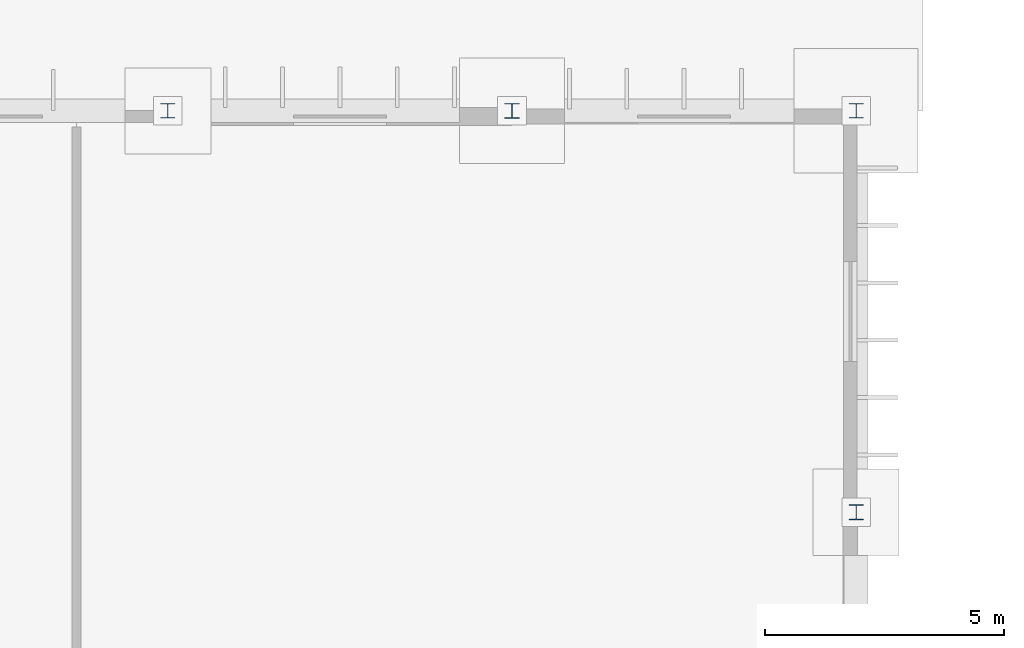
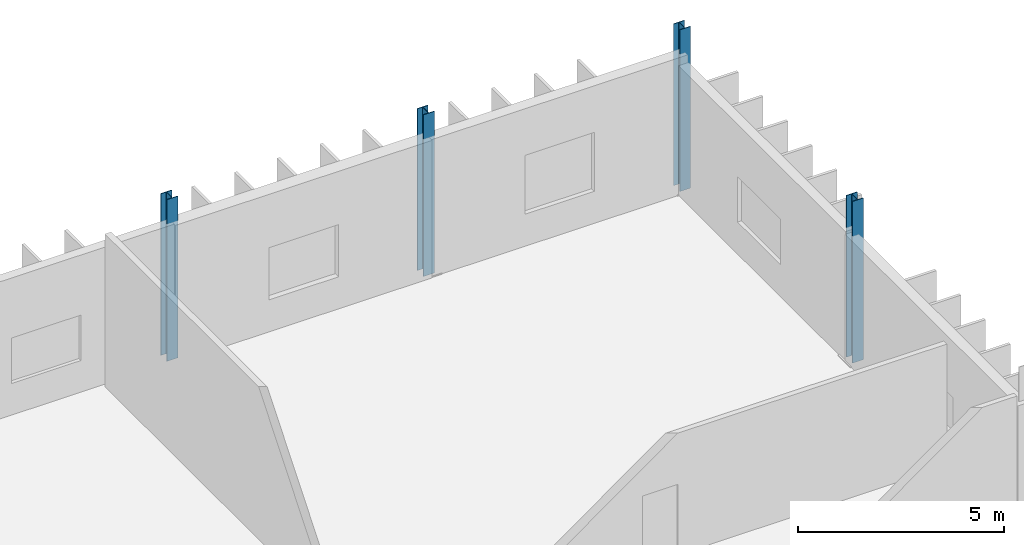
# One storey, part 29 of 118: 4 columns.
"""IFC4 building model written with IfcOpenShell, lengths in metres."""

from ifc_helpers import new_model, si_unit, direction, frame, origin, origin_2d, place, context, subcontext, project, spatial, i_section, extrude, material, material_profile, profile_set, type_object, element, save


model = new_model("IFC4")

# Units and contexts
model_context = context("Model", 3, precision=1e-05, world=origin(), true_north=direction((0.0, 1.0)))
body_context = subcontext(model_context, "Body", "Model", "MODEL_VIEW")
ifc_project = project(units=[si_unit("LENGTHUNIT", "METRE"), si_unit("AREAUNIT", "SQUARE_METRE"), si_unit("VOLUMEUNIT", "CUBIC_METRE"), si_unit("PLANEANGLEUNIT", "RADIAN"), si_unit("MASSUNIT", "GRAM", prefix="KILO")], contexts=[model_context])

# Site, building, storey
site_placement = place(None, origin())
site = spatial("IfcSite", under=ifc_project, at=site_placement, CompositionType="ELEMENT")
building_placement = place(site_placement, origin())
building = spatial("IfcBuilding", under=site, at=building_placement, Name="Qelthora Terrace Specialist Clinic", CompositionType="ELEMENT")
storey_placement = place(building_placement, origin())
storey = spatial("IfcBuildingStorey", under=building, at=storey_placement, Name="L00", CompositionType="ELEMENT", Elevation=0.0)

# Columns
ifc_material = material(Name="Steel S355", Category="steel")
ifc_material_profile_1 = material_profile(ifc_material, i_section(OverallWidth=0.305908203125, OverallDepth=0.31103515625, WebThickness=0.010986328125, FlangeThickness=0.01708984375, FilletRadius=0.014892578125, at=origin_2d()), Name="W310X107")
ifc_profile_set_1 = profile_set([ifc_material_profile_1], Name="Steel S355")
column_type_1 = type_object("IfcColumnType", Name="COL-W310X107", PredefinedType="COLUMN", material=ifc_profile_set_1)
for number, where, z_axis, x_axis, name in (
    (1, (129.60009765625, 109.199951171875, 0.0), (0.0, 0.0, 1.0), (1.0, 0.0, 0.0), "Column L00-214"),
    (2, (144.0, 109.199951171875, 0.0), (0.0, 0.0, 1.0), (1.0, 0.0, 0.0), "Column L00-235"),
):
    element("IfcColumn", number, at=place(storey_placement, frame(where, z_axis=z_axis, x_axis=x_axis)), inside=storey, type_object=column_type_1, Name=name, PredefinedType="COLUMN", context=body_context, shape_type="SweptSolid", body=[
        extrude(i_section(OverallWidth=0.305908203125, OverallDepth=0.31103515625, WebThickness=0.010986328125, FlangeThickness=0.01708984375, FilletRadius=0.014892578125, at=origin_2d()), origin(), (0.0, 0.0, 1.0), 4.800048828125),
    ])
ifc_material_profile_2 = material_profile(ifc_material, i_section(OverallWidth=0.306884765625, OverallDepth=0.31396484375, WebThickness=0.011962890625, FlangeThickness=0.018798828125, FilletRadius=0.01611328125, at=origin_2d()), Name="W310X118")
ifc_profile_set_2 = profile_set([ifc_material_profile_2], Name="Steel S355")
column_type_2 = type_object("IfcColumnType", Name="COL-W310X118", PredefinedType="COLUMN", material=ifc_profile_set_2)
for number, where, z_axis, x_axis, name in (
    (3, (136.800048828125, 109.199951171875, 0.0), (0.0, 0.0, 1.0), (1.0, 0.0, 0.0), "Column L00-222"),
    (4, (144.0, 100.800048828125, 0.0), (0.0, 0.0, 1.0), (1.0, 0.0, 0.0), "Column L00-234"),
):
    element("IfcColumn", number, at=place(storey_placement, frame(where, z_axis=z_axis, x_axis=x_axis)), inside=storey, type_object=column_type_2, Name=name, PredefinedType="COLUMN", context=body_context, shape_type="SweptSolid", body=[
        extrude(i_section(OverallWidth=0.306884765625, OverallDepth=0.31396484375, WebThickness=0.011962890625, FlangeThickness=0.018798828125, FilletRadius=0.01611328125, at=origin_2d()), origin(), (0.0, 0.0, 1.0), 4.800048828125),
    ])

save(model, "model.ifc")
